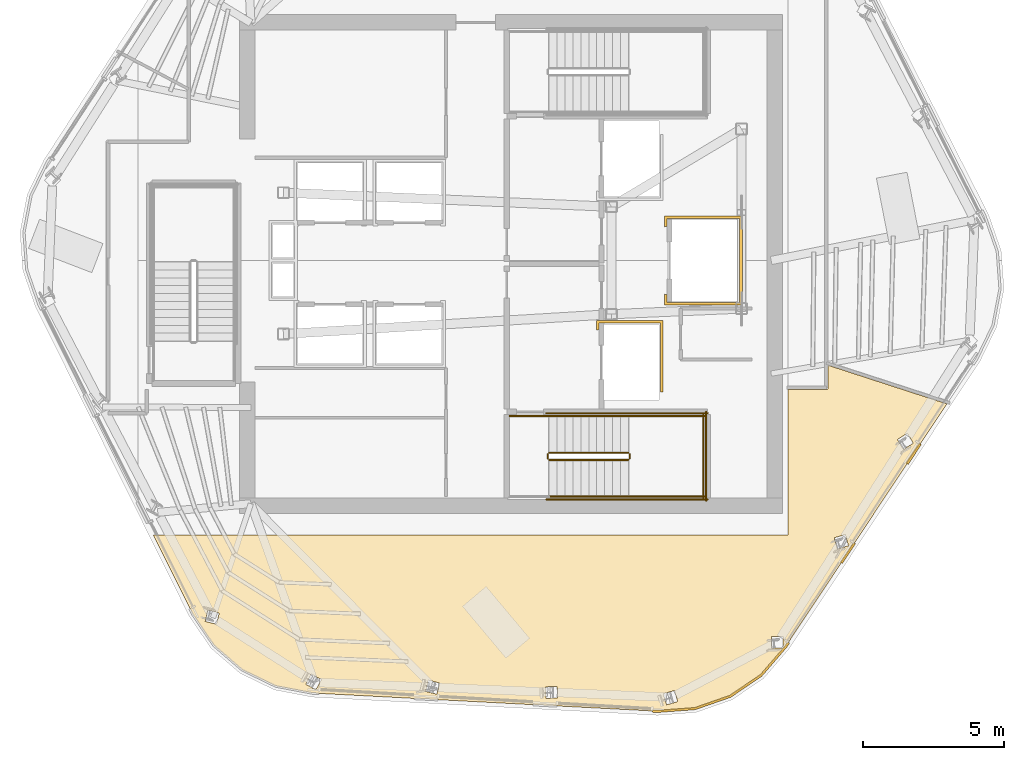
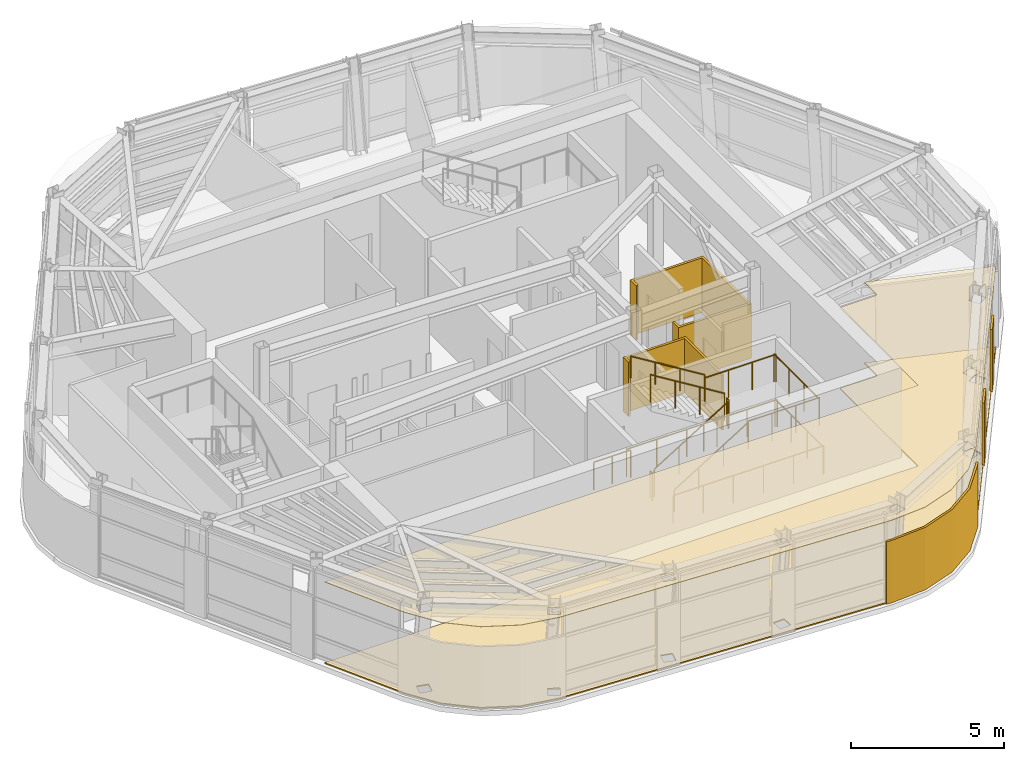
# One storey, part 10 of 13: 13 railings, 7 coverings.
"""IFC4 building model written with IfcOpenShell, lengths in metres."""

from ifc_helpers import new_model, si_unit, direction, frame, origin, origin_2d, place, context, subcontext, project, spatial, polyline, circle, outline, extrude, material, layer, layer_set, type_object, element, save


model = new_model("IFC4")

# Units and contexts
model_context = context("Model", 3, precision=1e-05, world=origin(), true_north=direction((0.0, 1.0)))
body_context = subcontext(model_context, "Body", "Model", "MODEL_VIEW")
ifc_project = project(units=[si_unit("LENGTHUNIT", "METRE"), si_unit("AREAUNIT", "SQUARE_METRE"), si_unit("VOLUMEUNIT", "CUBIC_METRE"), si_unit("PLANEANGLEUNIT", "RADIAN"), si_unit("MASSUNIT", "GRAM", prefix="KILO")], contexts=[model_context])

# Site, building, storey
site_placement = place(None, origin())
site = spatial("IfcSite", under=ifc_project, at=site_placement, CompositionType="ELEMENT")
building_placement = place(site_placement, origin())
building = spatial("IfcBuilding", under=site, at=building_placement, Name="Valkerne Bourse Tower", CompositionType="ELEMENT")
storey_placement = place(building_placement, frame((0.0, 0.0, 269.800048828125)))
storey = spatial("IfcBuildingStorey", under=building, at=storey_placement, Name="L68", CompositionType="ELEMENT", Elevation=269.800048828125)

# Coverings
ifc_material_1 = material(Name="Mineral Fiber Acoustic Ceiling Tile", Category="acoustic")
ifc_layer_1 = layer(ifc_material_1, 0.02490234375)
ifc_layer_set_1 = layer_set([ifc_layer_1], Name="Mineral Fiber Acoustic Ceiling Tile")
covering_type_1 = type_object("IfcCoveringType", Name="COV-CEIL-ACT", PredefinedType="CEILING", material=ifc_layer_set_1)
covering_1_placement = place(storey_placement, frame((0.0, 0.0, 3.25)))
element("IfcCovering", 1, at=covering_1_placement, inside=storey, type_object=covering_type_1, Name="L68 Suspended Ceiling 06", PredefinedType="CEILING", context=body_context, shape_type="SweptSolid", body=[
    extrude(outline(polyline([(54.55078125, 11.589111328125), (53.3046875, 11.155029296875), (51.97900390625, 11.057861328125), (39.783935546875, 11.7001953125), (38.478759765625, 11.94921875), (37.290771484375, 12.523681640625), (36.291748046875, 13.3857421875), (35.544921875, 14.484619140625), (34.146484375, 17.300048828125), (56.60009765625, 17.300048828125), (56.60009765625, 22.430908203125), (57.950439453125, 22.430908203125), (57.985107421875, 22.4404296875), (58.009521484375, 22.46484375), (58.018798828125, 22.49658203125), (58.01904296875, 23.292724609375), (62.2158203125, 21.928955078125), (56.510986328125, 13.337158203125), (55.642333984375, 12.330810546875), (54.55078125, 11.589111328125)]), holes=[polyline([(43.880126953125, 12.15673828125), (43.8779296875, 12.156982421875), (43.77880859375, 11.760009765625), (44.172607421875, 11.66162109375), (44.1748046875, 11.6611328125), (44.27392578125, 12.05810546875), (43.880126953125, 12.15673828125)]), polyline([(39.73974609375, 12.37109375), (39.73779296875, 12.372314453125), (39.541015625, 12.01318359375), (39.897216796875, 11.818115234375), (39.899169921875, 11.817138671875), (40.095703125, 12.17626953125), (39.73974609375, 12.37109375)]), polyline([(36.47607421875, 14.533203125), (36.078857421875, 14.62890625), (35.98291015625, 14.23388671875), (35.984619140625, 14.232421875), (36.3818359375, 14.13671875), (36.477783203125, 14.53173828125), (36.47607421875, 14.533203125)]), polyline([(52.695556640625, 11.399169921875), (52.579833984375, 11.791748046875), (52.190673828125, 11.67724609375), (52.188232421875, 11.676513671875), (52.303955078125, 11.28369140625), (52.693359375, 11.3984375), (52.695556640625, 11.399169921875)]), polyline([(48.4443359375, 11.525146484375), (48.431884765625, 11.93408203125), (48.026123046875, 11.921875), (48.02392578125, 11.921630859375), (48.036376953125, 11.5126953125), (48.442138671875, 11.52490234375), (48.4443359375, 11.525146484375)]), polyline([(56.427490234375, 13.302978515625), (56.418212890625, 13.709228515625), (56.009521484375, 13.70068359375), (56.0078125, 13.69921875), (56.01708984375, 13.29296875), (56.425537109375, 13.301513671875), (56.427490234375, 13.302978515625)]), polyline([(58.735595703125, 16.9140625), (58.623291015625, 17.3046875), (58.23046875, 17.192626953125), (58.22900390625, 17.19091796875), (58.34130859375, 16.80029296875), (58.734130859375, 16.912353515625), (58.735595703125, 16.9140625)]), polyline([(61.028564453125, 20.539306640625), (60.814208984375, 20.885009765625), (60.466552734375, 20.670166015625), (60.465576171875, 20.668212890625), (60.6796875, 20.322509765625), (61.027587890625, 20.537353515625), (61.028564453125, 20.539306640625)])]), origin(), (0.0, 0.0, 1.0), 0.02490234375),
])
ifc_material_2 = material(Name="Bronze Anodised Aluminium AA 6063-T6", Category="aluminium")
ifc_layer_2 = layer(ifc_material_2, 0.06005859375)
ifc_layer_set_2 = layer_set([ifc_layer_2], Name="Bronze Anodised Aluminium AA 6063-T6")
covering_type_2 = type_object("IfcCoveringType", Name="COV-CRN-ALUM", PredefinedType="CLADDING", material=ifc_layer_set_2)
covering_2_placement = place(storey_placement, origin())
element("IfcCovering", 2, at=covering_2_placement, inside=storey, type_object=covering_type_2, Name="L68 Wind-Shaped Corner Aluminium Cladding 02", PredefinedType="CLADDING", context=body_context, shape_type="SweptSolid", body=[
    extrude(outline(polyline([(60.84814453125, 19.789306640625), (60.78125, 19.83349609375), (61.245849609375, 20.533203125), (61.312744140625, 20.4892578125), (60.84814453125, 19.789306640625)])), origin(), (0.0, 0.0, 1.0), 2.5),
])
covering_3_placement = place(storey_placement, origin())
element("IfcCovering", 3, at=covering_3_placement, inside=storey, type_object=covering_type_2, Name="L68 Wind-Shaped Corner Aluminium Cladding 03", PredefinedType="CLADDING", context=body_context, shape_type="SweptSolid", body=[
    extrude(outline(polyline([(58.51806640625, 16.280517578125), (58.451171875, 16.32421875), (58.916015625, 17.024169921875), (58.98291015625, 16.980224609375), (58.51806640625, 16.280517578125)])), origin(), (0.0, 0.0, 1.0), 2.5),
])
covering_4_placement = place(storey_placement, origin())
element("IfcCovering", 4, at=covering_4_placement, inside=storey, type_object=covering_type_2, Name="L68 Wind-Shaped Corner Aluminium Cladding 04", PredefinedType="CLADDING", context=body_context, shape_type="SweptSolid", body=[
    extrude(outline(polyline([(56.546142578125, 13.310546875), (55.671875, 12.297607421875), (54.57080078125, 11.54931640625), (53.313720703125, 11.11181640625), (51.9794921875, 11.013671875), (51.78662109375, 11.02392578125), (51.791259765625, 11.103759765625), (51.978515625, 11.09375), (53.29736328125, 11.190673828125), (54.53466796875, 11.62158203125), (55.6181640625, 12.35791015625), (56.482177734375, 13.35888671875), (56.5859375, 13.51513671875), (56.65283203125, 13.47119140625), (56.546142578125, 13.310546875)])), origin(), (0.0, 0.0, 1.0), 2.5),
])
ifc_material_3 = material(Name="Galvanised Painted Steel", Category="steel")
ifc_layer_3 = layer(ifc_material_3, 0.044921875)
ifc_layer_set_3 = layer_set([ifc_layer_3], Name="Galvanised Painted Steel")
covering_type_3 = type_object("IfcCoveringType", Name="COV-FLR-RAF", PredefinedType="FLOORING", material=ifc_layer_set_3)
covering_5_placement = place(storey_placement, origin())
element("IfcCovering", 5, at=covering_5_placement, inside=storey, type_object=covering_type_3, Name="L68 Floor Finish 06", PredefinedType="FLOORING", context=body_context, shape_type="SweptSolid", body=[
    extrude(outline(polyline([(54.55078125, 11.589111328125), (53.3046875, 11.155029296875), (51.97900390625, 11.057861328125), (39.783935546875, 11.7001953125), (38.478759765625, 11.94921875), (37.290771484375, 12.523681640625), (36.291748046875, 13.3857421875), (35.544921875, 14.484619140625), (34.146484375, 17.300048828125), (56.60009765625, 17.300048828125), (56.60009765625, 22.430908203125), (57.950439453125, 22.430908203125), (57.985107421875, 22.4404296875), (58.009521484375, 22.46484375), (58.018798828125, 22.49658203125), (58.01904296875, 23.292724609375), (62.2158203125, 21.928955078125), (56.510986328125, 13.337158203125), (55.642333984375, 12.330810546875), (54.55078125, 11.589111328125)]), holes=[polyline([(43.880126953125, 12.15673828125), (43.8779296875, 12.156982421875), (43.77880859375, 11.760009765625), (44.172607421875, 11.66162109375), (44.1748046875, 11.6611328125), (44.27392578125, 12.05810546875), (43.880126953125, 12.15673828125)]), polyline([(39.73974609375, 12.37109375), (39.73779296875, 12.372314453125), (39.541015625, 12.01318359375), (39.897216796875, 11.818115234375), (39.899169921875, 11.817138671875), (40.095703125, 12.17626953125), (39.73974609375, 12.37109375)]), polyline([(36.47607421875, 14.533203125), (36.078857421875, 14.62890625), (35.98291015625, 14.23388671875), (35.984619140625, 14.232421875), (36.3818359375, 14.13671875), (36.477783203125, 14.53173828125), (36.47607421875, 14.533203125)]), polyline([(52.695556640625, 11.399169921875), (52.579833984375, 11.791748046875), (52.190673828125, 11.67724609375), (52.188232421875, 11.676513671875), (52.303955078125, 11.28369140625), (52.693359375, 11.3984375), (52.695556640625, 11.399169921875)]), polyline([(48.4443359375, 11.525146484375), (48.431884765625, 11.93408203125), (48.026123046875, 11.921875), (48.02392578125, 11.921630859375), (48.036376953125, 11.5126953125), (48.442138671875, 11.52490234375), (48.4443359375, 11.525146484375)]), polyline([(56.427490234375, 13.302978515625), (56.418212890625, 13.709228515625), (56.009521484375, 13.70068359375), (56.0078125, 13.69921875), (56.01708984375, 13.29296875), (56.425537109375, 13.301513671875), (56.427490234375, 13.302978515625)]), polyline([(58.735595703125, 16.9140625), (58.623291015625, 17.3046875), (58.23046875, 17.192626953125), (58.22900390625, 17.19091796875), (58.34130859375, 16.80029296875), (58.734130859375, 16.912353515625), (58.735595703125, 16.9140625)]), polyline([(61.028564453125, 20.539306640625), (60.814208984375, 20.885009765625), (60.466552734375, 20.670166015625), (60.465576171875, 20.668212890625), (60.6796875, 20.322509765625), (61.027587890625, 20.537353515625), (61.028564453125, 20.539306640625)])]), origin(), (0.0, 0.0, 1.0), 0.044921875),
])
ifc_material_4 = material(Name="Gypsum Shaftwall Liner Board", Category="gypsum")
ifc_layer_4 = layer(ifc_material_4, 0.080078125)
ifc_layer_set_4 = layer_set([ifc_layer_4], Name="Gypsum Shaftwall Liner Board")
covering_type_4 = type_object("IfcCoveringType", Name="COV-SHF-CLAD", PredefinedType="CLADDING", material=ifc_layer_set_4)
covering_6_placement = place(storey_placement, origin())
element("IfcCovering", 6, at=covering_6_placement, inside=storey, type_object=covering_type_4, Name="L68 Hoistway & Riser Shaftwall Liner 01", PredefinedType="CLADDING", context=body_context, shape_type="SweptSolid", body=[
    extrude(outline(polyline([(52.179931640625, 24.8798828125), (52.179931640625, 22.35009765625), (52.090087890625, 22.35009765625), (52.090087890625, 24.7900390625), (49.909912109375, 24.7900390625), (49.909912109375, 24.560791015625), (49.869384765625, 24.550537109375), (49.827880859375, 24.53564453125), (49.820068359375, 24.531982421875), (49.820068359375, 24.8798828125), (52.179931640625, 24.8798828125)])), origin(), (0.0, 0.0, 1.0), 2.179931640625),
])
covering_7_placement = place(storey_placement, origin())
element("IfcCovering", 7, at=covering_7_placement, inside=storey, type_object=covering_type_4, Name="L68 Hoistway & Riser Shaftwall Liner 05", PredefinedType="CLADDING", context=body_context, shape_type="SweptSolid", body=[
    extrude(outline(polyline([(54.97998046875, 28.580078125), (54.97998046875, 25.419921875), (52.219970703125, 25.419921875), (52.219970703125, 25.81787109375), (52.227783203125, 25.814208984375), (52.269287109375, 25.79931640625), (52.31005859375, 25.789306640625), (52.31005859375, 25.510009765625), (54.889892578125, 25.510009765625), (54.889892578125, 28.489990234375), (52.31005859375, 28.489990234375), (52.31005859375, 28.210693359375), (52.269287109375, 28.20068359375), (52.227783203125, 28.185791015625), (52.219970703125, 28.18212890625), (52.219970703125, 28.580078125), (54.97998046875, 28.580078125)])), origin(), (0.0, 0.0, 1.0), 2.179931640625),
])

# Railings
railing_type_1 = type_object("IfcRailingType", Name="RLG-ST-GUARD-1120", PredefinedType="GUARDRAIL", material=ifc_material_3)
railing_1_placement = place(storey_placement, frame((48.14990234375, 19.949951171875, 0.172607421875)))
element("IfcRailing", 8, at=railing_1_placement, inside=storey, type_object=railing_type_1, Name="L68 ST-1 stair guard 1", PredefinedType="GUARDRAIL", context=body_context, shape_type="SweptSolid", body=[
    extrude(circle(Radius=0.02392578125, at=origin_2d()), frame((0.0, 0.0, 1.09619140625), z_axis=(0.851089632645, 0.0, 0.525020415988), x_axis=(0.0, 1.0, 0.0)), (0.0, 0.0, 1.0), 3.2900390625),
    extrude(circle(Radius=0.02099609375, at=origin_2d()), origin(), (0.0, 0.0, 1.0), 1.072021484375),
    extrude(circle(Radius=0.02099609375, at=origin_2d()), frame((0.933349609375, 0.0, 0.57568359375)), (0.0, 0.0, 1.0), 1.072021484375),
    extrude(circle(Radius=0.02099609375, at=origin_2d()), frame((1.86669921875, 0.0, 1.151611328125)), (0.0, 0.0, 1.0), 1.072021484375),
    extrude(circle(Radius=0.02099609375, at=origin_2d()), frame((2.800048828125, 0.0, 1.727294921875)), (0.0, 0.0, 1.0), 1.072021484375),
])
railing_2_placement = place(storey_placement, frame((51.0, 20.0, 1.89990234375)))
element("IfcRailing", 9, at=railing_2_placement, inside=storey, type_object=railing_type_1, Name="L68 ST-1 stair guard 2", PredefinedType="GUARDRAIL", context=body_context, shape_type="SweptSolid", body=[
    extrude(circle(Radius=0.02392578125, at=origin_2d()), frame((0.0, 0.0, 1.09619140625), z_axis=(0.0, 1.0, 0.0), x_axis=(-1.0, 0.0, 0.0)), (0.0, 0.0, 1.0), 0.14990234375),
    extrude(circle(Radius=0.02099609375, at=origin_2d()), origin(), (0.0, 0.0, 1.0), 1.072021484375),
    extrude(circle(Radius=0.02099609375, at=origin_2d()), frame((0.0, 0.14990234375, 0.0)), (0.0, 0.0, 1.0), 1.072021484375),
])
for number, where, name in (
    (10, (50.949951171875, 18.64990234375, 1.89990234375), "L68 ST-1 stair guard 3"),
    (11, (50.949951171875, 21.5, 1.89990234375), "L68 ST-1 stair guard 4"),
):
    element("IfcRailing", number, at=place(storey_placement, frame(where)), inside=storey, type_object=railing_type_1, Name=name, PredefinedType="GUARDRAIL", context=body_context, shape_type="SweptSolid", body=[
        extrude(circle(Radius=0.02392578125, at=origin_2d()), frame((0.0, 0.0, 1.09619140625), z_axis=(1.0, 0.0, 0.0), x_axis=(0.0, 1.0, 0.0)), (0.0, 0.0, 1.0), 2.699951171875),
        extrude(circle(Radius=0.02099609375, at=origin_2d()), origin(), (0.0, 0.0, 1.0), 1.072021484375),
        extrude(circle(Radius=0.02099609375, at=origin_2d()), frame((0.89990234375, 0.0, 0.0)), (0.0, 0.0, 1.0), 1.072021484375),
        extrude(circle(Radius=0.02099609375, at=origin_2d()), frame((1.800048828125, 0.0, 0.0)), (0.0, 0.0, 1.0), 1.072021484375),
        extrude(circle(Radius=0.02099609375, at=origin_2d()), frame((2.699951171875, 0.0, 0.0)), (0.0, 0.0, 1.0), 1.072021484375),
    ])
railing_3_placement = place(storey_placement, frame((53.60009765625, 18.60009765625, 1.89990234375)))
element("IfcRailing", 12, at=railing_3_placement, inside=storey, type_object=railing_type_1, Name="L68 ST-1 stair guard 5", PredefinedType="GUARDRAIL", context=body_context, shape_type="SweptSolid", body=[
    extrude(circle(Radius=0.02392578125, at=origin_2d()), frame((0.0, 0.0, 1.09619140625), z_axis=(0.0, 1.0, 0.0), x_axis=(-1.0, 0.0, 0.0)), (0.0, 0.0, 1.0), 2.949951171875),
    extrude(circle(Radius=0.02099609375, at=origin_2d()), origin(), (0.0, 0.0, 1.0), 1.072021484375),
    extrude(circle(Radius=0.02099609375, at=origin_2d()), frame((0.0, 0.9833984375, 0.0)), (0.0, 0.0, 1.0), 1.072021484375),
    extrude(circle(Radius=0.02099609375, at=origin_2d()), frame((0.0, 1.966552734375, 0.0)), (0.0, 0.0, 1.0), 1.072021484375),
    extrude(circle(Radius=0.02099609375, at=origin_2d()), frame((0.0, 2.949951171875, 0.0)), (0.0, 0.0, 1.0), 1.072021484375),
])
railing_4_placement = place(storey_placement, frame((50.949951171875, 20.199951171875, 2.07275390625)))
element("IfcRailing", 13, at=railing_4_placement, inside=storey, type_object=railing_type_1, Name="L68 ST-1 stair guard 6", PredefinedType="GUARDRAIL", context=body_context, shape_type="SweptSolid", body=[
    extrude(circle(Radius=0.02392578125, at=origin_2d()), frame((0.0, 0.0, 1.09619140625), z_axis=(-0.851089632645, 0.0, 0.525020415988), x_axis=(0.0, -1.0, 0.0)), (0.0, 0.0, 1.0), 3.2900390625),
    extrude(circle(Radius=0.02099609375, at=origin_2d()), origin(), (0.0, 0.0, 1.0), 1.072021484375),
    extrude(circle(Radius=0.02099609375, at=origin_2d()), frame((-0.933349609375, 0.0, 0.57568359375)), (0.0, 0.0, 1.0), 1.072021484375),
    extrude(circle(Radius=0.02099609375, at=origin_2d()), frame((-1.86669921875, 0.0, 1.151611328125)), (0.0, 0.0, 1.0), 1.072021484375),
    extrude(circle(Radius=0.02099609375, at=origin_2d()), frame((-2.800048828125, 0.0, 1.727294921875)), (0.0, 0.0, 1.0), 1.072021484375),
])
railing_5_placement = place(storey_placement, frame((48.10009765625, 20.0, 0.0)))
element("IfcRailing", 14, at=railing_5_placement, inside=storey, type_object=railing_type_1, Name="L68 ST-1 stair guard 7", PredefinedType="GUARDRAIL", context=body_context, shape_type="SweptSolid", body=[
    extrude(circle(Radius=0.02392578125, at=origin_2d()), frame((0.0, 0.0, 1.09619140625), z_axis=(0.0, 1.0, 0.0), x_axis=(-1.0, 0.0, 0.0)), (0.0, 0.0, 1.0), 0.14990234375),
    extrude(circle(Radius=0.02099609375, at=origin_2d()), origin(), (0.0, 0.0, 1.0), 1.072021484375),
    extrude(circle(Radius=0.02099609375, at=origin_2d()), frame((0.0, 0.14990234375, 0.0)), (0.0, 0.0, 1.0), 1.072021484375),
])
railing_6_placement = place(storey_placement, frame((46.75, 21.5, 0.0)))
element("IfcRailing", 15, at=railing_6_placement, inside=storey, type_object=railing_type_1, Name="L68 ST-1 stair guard 9", PredefinedType="GUARDRAIL", context=body_context, shape_type="SweptSolid", body=[
    extrude(circle(Radius=0.02392578125, at=origin_2d()), frame((0.0, 0.0, 1.09619140625), z_axis=(1.0, 0.0, 0.0), x_axis=(0.0, 1.0, 0.0)), (0.0, 0.0, 1.0), 1.39990234375),
    extrude(circle(Radius=0.02099609375, at=origin_2d()), origin(), (0.0, 0.0, 1.0), 1.072021484375),
    extrude(circle(Radius=0.02099609375, at=origin_2d()), frame((0.699951171875, 0.0, 0.0)), (0.0, 0.0, 1.0), 1.072021484375),
    extrude(circle(Radius=0.02099609375, at=origin_2d()), frame((1.39990234375, 0.0, 0.0)), (0.0, 0.0, 1.0), 1.072021484375),
])
for number, where, name in (
    (16, (48.050048828125, 18.550048828125, 0.0), "L68 ST-1 stair guard 10"),
    (17, (48.050048828125, 21.60009765625, 0.0), "L68 ST-1 stair guard 11"),
):
    element("IfcRailing", number, at=place(storey_placement, frame(where)), inside=storey, type_object=railing_type_1, Name=name, PredefinedType="GUARDRAIL", context=body_context, shape_type="SweptSolid", body=[
        extrude(circle(Radius=0.02392578125, at=origin_2d()), frame((0.0, 0.0, 1.09619140625), z_axis=(1.0, 0.0, 0.0), x_axis=(0.0, 1.0, 0.0)), (0.0, 0.0, 1.0), 5.699951171875),
        extrude(circle(Radius=0.02099609375, at=origin_2d()), origin(), (0.0, 0.0, 1.0), 1.072021484375),
        extrude(circle(Radius=0.02099609375, at=origin_2d()), frame((1.139892578125, 0.0, 0.0)), (0.0, 0.0, 1.0), 1.072021484375),
        extrude(circle(Radius=0.02099609375, at=origin_2d()), frame((2.280029296875, 0.0, 0.0)), (0.0, 0.0, 1.0), 1.072021484375),
        extrude(circle(Radius=0.02099609375, at=origin_2d()), frame((3.419921875, 0.0, 0.0)), (0.0, 0.0, 1.0), 1.072021484375),
        extrude(circle(Radius=0.02099609375, at=origin_2d()), frame((4.56005859375, 0.0, 0.0)), (0.0, 0.0, 1.0), 1.072021484375),
        extrude(circle(Radius=0.02099609375, at=origin_2d()), frame((5.699951171875, 0.0, 0.0)), (0.0, 0.0, 1.0), 1.072021484375),
    ])
railing_7_placement = place(storey_placement, frame((53.699951171875, 18.5, 0.0)))
element("IfcRailing", 18, at=railing_7_placement, inside=storey, type_object=railing_type_1, Name="L68 ST-1 stair guard 12", PredefinedType="GUARDRAIL", context=body_context, shape_type="SweptSolid", body=[
    extrude(circle(Radius=0.02392578125, at=origin_2d()), frame((0.0, 0.0, 1.09619140625), z_axis=(0.0, 1.0, 0.0), x_axis=(-1.0, 0.0, 0.0)), (0.0, 0.0, 1.0), 3.14990234375),
    extrude(circle(Radius=0.02099609375, at=origin_2d()), origin(), (0.0, 0.0, 1.0), 1.072021484375),
    extrude(circle(Radius=0.02099609375, at=origin_2d()), frame((0.0, 1.050048828125, 0.0)), (0.0, 0.0, 1.0), 1.072021484375),
    extrude(circle(Radius=0.02099609375, at=origin_2d()), frame((0.0, 2.099853515625, 0.0)), (0.0, 0.0, 1.0), 1.072021484375),
    extrude(circle(Radius=0.02099609375, at=origin_2d()), frame((0.0, 3.14990234375, 0.0)), (0.0, 0.0, 1.0), 1.072021484375),
])
ifc_material_5 = material(Name="Stainless Steel AISI 316", Category="steel")
railing_type_2 = type_object("IfcRailingType", Name="RLG-ST-HANDRAIL-900", PredefinedType="HANDRAIL", material=ifc_material_5)
railing_8_placement = place(storey_placement, frame((48.14990234375, 18.64990234375, 0.345458984375)))
element("IfcRailing", 19, at=railing_8_placement, inside=storey, type_object=railing_type_2, Name="L68 ST-1 stair handrail 1", PredefinedType="HANDRAIL", context=body_context, shape_type="SweptSolid", body=[
    extrude(circle(Radius=0.02392578125, at=origin_2d()), frame((0.0, 0.0, 0.8759765625), z_axis=(0.851089632645, 0.0, 0.525020415988), x_axis=(0.0, 1.0, 0.0)), (0.0, 0.0, 1.0), 3.2900390625),
    extrude(circle(Radius=0.02099609375, at=origin_2d()), origin(), (0.0, 0.0, 1.0), 0.851806640625),
    extrude(circle(Radius=0.02099609375, at=origin_2d()), frame((0.933349609375, 0.0, 0.57568359375)), (0.0, 0.0, 1.0), 0.851806640625),
    extrude(circle(Radius=0.02099609375, at=origin_2d()), frame((1.86669921875, 0.0, 1.151611328125)), (0.0, 0.0, 1.0), 0.851806640625),
    extrude(circle(Radius=0.02099609375, at=origin_2d()), frame((2.800048828125, 0.0, 1.727294921875)), (0.0, 0.0, 1.0), 0.851806640625),
])
railing_9_placement = place(storey_placement, frame((50.949951171875, 21.5, 2.245361328125)))
element("IfcRailing", 20, at=railing_9_placement, inside=storey, type_object=railing_type_2, Name="L68 ST-1 stair handrail 2", PredefinedType="HANDRAIL", context=body_context, shape_type="SweptSolid", body=[
    extrude(circle(Radius=0.02392578125, at=origin_2d()), frame((0.0, 0.0, 0.8759765625), z_axis=(-0.851089632645, 0.0, 0.525020415988), x_axis=(0.0, -1.0, 0.0)), (0.0, 0.0, 1.0), 3.2900390625),
    extrude(circle(Radius=0.02099609375, at=origin_2d()), origin(), (0.0, 0.0, 1.0), 0.851806640625),
    extrude(circle(Radius=0.02099609375, at=origin_2d()), frame((-0.933349609375, 0.0, 0.57568359375)), (0.0, 0.0, 1.0), 0.851806640625),
    extrude(circle(Radius=0.02099609375, at=origin_2d()), frame((-1.86669921875, 0.0, 1.151611328125)), (0.0, 0.0, 1.0), 0.851806640625),
    extrude(circle(Radius=0.02099609375, at=origin_2d()), frame((-2.800048828125, 0.0, 1.727294921875)), (0.0, 0.0, 1.0), 0.851806640625),
])

save(model, "model.ifc")
